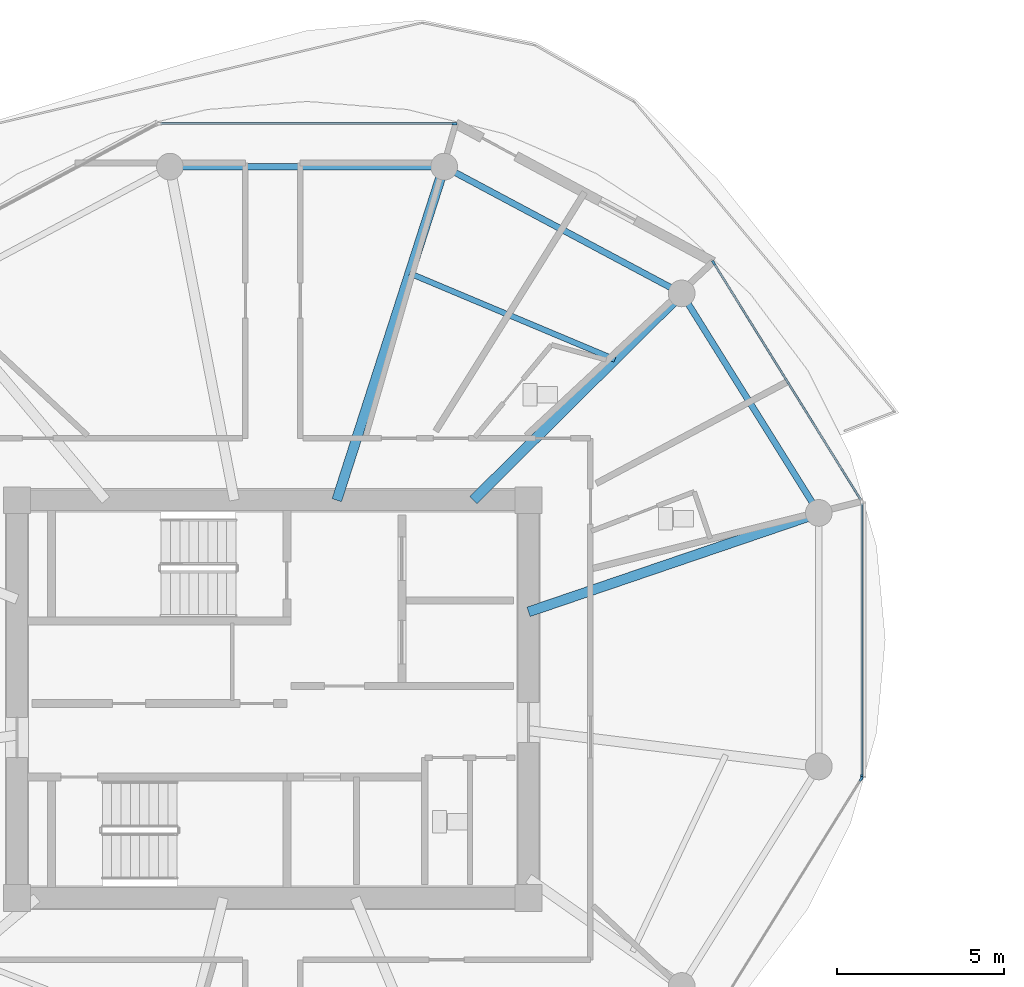
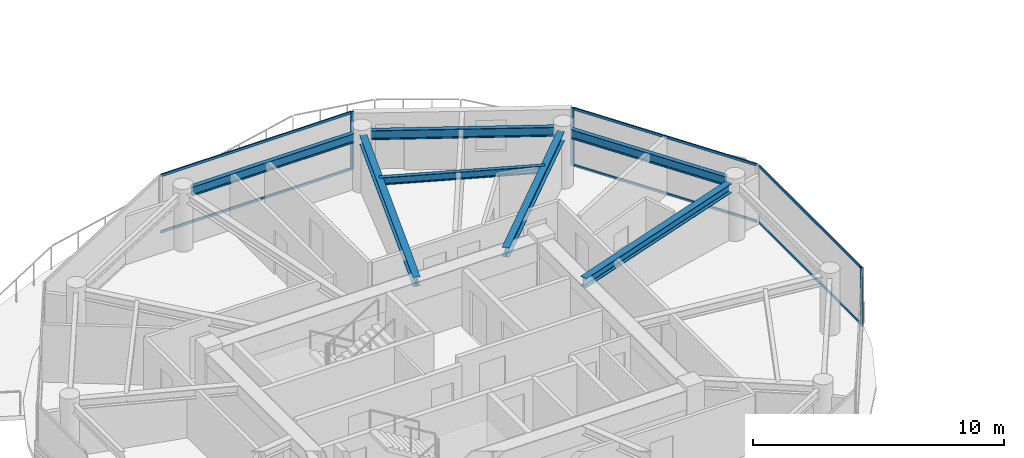
# One storey, part 5 of 21: 10 members, 7 beams, 4 elements without a shape of their own.
"""IFC4 building model written with IfcOpenShell, lengths in metres."""

from ifc_helpers import new_model, si_unit, direction, frame, origin, origin_2d, place, context, subcontext, project, spatial, rectangle, i_section, extrude, source, transform, mapped, material, layer, layer_set, material_profile, profile_set, type_object, type_shapes, element, aggregate, save


model = new_model("IFC4")

# Units and contexts
model_context = context("Model", 3, precision=1e-05, world=origin(), true_north=direction((0.0, 1.0)))
body_context = subcontext(model_context, "Body", "Model", "MODEL_VIEW")
ifc_project = project(units=[si_unit("LENGTHUNIT", "METRE"), si_unit("AREAUNIT", "SQUARE_METRE"), si_unit("VOLUMEUNIT", "CUBIC_METRE"), si_unit("PLANEANGLEUNIT", "RADIAN"), si_unit("MASSUNIT", "GRAM", prefix="KILO")], contexts=[model_context])

# Site, building, storey
site_placement = place(None, origin())
site = spatial("IfcSite", under=ifc_project, at=site_placement, CompositionType="ELEMENT")
building_placement = place(site_placement, origin())
building = spatial("IfcBuilding", under=site, at=building_placement, Name="Norrkilde Senior Care Towers", CompositionType="ELEMENT")
storey_placement = place(building_placement, frame((0.0, 0.0, 146.5)))
storey = spatial("IfcBuildingStorey", under=building, at=storey_placement, Name="L45", CompositionType="ELEMENT", Elevation=146.5)

# Beams
ifc_material_1 = material(Name="Steel S355", Category="steel")
ifc_material_profile_1 = material_profile(ifc_material_1, i_section(OverallWidth=0.18994140625, OverallDepth=0.449951171875, WebThickness=0.009521484375, FlangeThickness=0.0146484375, FilletRadius=0.02099609375, at=origin_2d()), Name="IPE 450")
ifc_profile_set_1 = profile_set([ifc_material_profile_1], Name="Steel S355")
beam_type_1 = type_object("IfcBeamType", Name="Perimeter Ring Spandrel Z3 IPE450", PredefinedType="SPANDREL", material=ifc_profile_set_1)
shared_shape_1 = source(origin(), body_context, "Body", "SweptSolid", [
    extrude(i_section(OverallWidth=0.18994140625, OverallDepth=0.449951171875, WebThickness=0.009521484375, FlangeThickness=0.0146484375, FilletRadius=0.02099609375, at=origin_2d()), origin(), (0.0, 0.0, 1.0), 7.0234375),
])
beam_1_placement = place(storey_placement, frame((-11.855712890625, 5.872314453125, 2.5849609375), z_axis=(-0.529789577822, 0.848129119433, 0.0), x_axis=(-0.848129119433, -0.529789577822, 0.0)))
element("IfcBeam", 1, at=beam_1_placement, inside=storey, type_object=beam_type_1, Name="L45 Drum W Perimeter Spandrel 01", PredefinedType="SPANDREL", context=body_context, shape_type="MappedRepresentation", body=[
    mapped(shared_shape_1, transform((0.0, 0.0, 0.0), x_axis=(1.0, 0.0, 0.0), y_axis=(0.0, 1.0, 0.0), z_axis=(0.0, 0.0, 1.0), scale=1.0)),
])
ifc_material_profile_2 = material_profile(ifc_material_1, i_section(OverallWidth=0.300048828125, OverallDepth=0.449951171875, WebThickness=0.013916015625, FlangeThickness=0.02587890625, FilletRadius=0.027099609375, at=origin_2d()), Name="HEB 450")
ifc_profile_set_2 = profile_set([ifc_material_profile_2], Name="Steel S355")
beam_type_2 = type_object("IfcBeamType", Name="Radial Floor Beam Z3 HEB450", PredefinedType="BEAM", material=ifc_profile_set_2)
shared_shape_2 = source(origin(), body_context, "Body", "SweptSolid", [
    extrude(i_section(OverallWidth=0.300048828125, OverallDepth=0.449951171875, WebThickness=0.013916015625, FlangeThickness=0.02587890625, FilletRadius=0.027099609375, at=origin_2d()), origin(), (0.0, 0.0, 1.0), 8.8154296875),
])
beam_2_placement = place(storey_placement, frame((-20.35009765625, 2.607177734375, 2.5849609375), z_axis=(0.946540556878, 0.322584832539, 0.0), x_axis=(-0.322584832539, 0.946540556878, 0.0)))
element("IfcBeam", 2, at=beam_2_placement, inside=storey, type_object=beam_type_2, Name="L45 Drum W Radial Floor Beam 01", PredefinedType="BEAM", context=body_context, shape_type="MappedRepresentation", body=[
    mapped(shared_shape_2, transform((0.0, 0.0, 0.0), x_axis=(1.0, 0.0, 0.0), y_axis=(0.0, 1.0, 0.0), z_axis=(0.0, 0.0, 1.0), scale=1.0)),
])
shared_shape_3 = source(origin(), body_context, "Body", "SweptSolid", [
    extrude(i_section(OverallWidth=0.18994140625, OverallDepth=0.449951171875, WebThickness=0.009521484375, FlangeThickness=0.0146484375, FilletRadius=0.02099609375, at=origin_2d()), origin(), (0.0, 0.0, 1.0), 7.333740234375),
])
beam_3_placement = place(storey_placement, frame((-16.0849609375, 12.303955078125, 2.5849609375), z_axis=(-0.882247866069, 0.470785198172, 0.0), x_axis=(-0.470785198172, -0.882247866069, 0.0)))
element("IfcBeam", 3, at=beam_3_placement, inside=storey, type_object=beam_type_1, Name="L45 Drum W Perimeter Spandrel 02", PredefinedType="SPANDREL", context=body_context, shape_type="MappedRepresentation", body=[
    mapped(shared_shape_3, transform((0.0, 0.0, 0.0), x_axis=(1.0, 0.0, 0.0), y_axis=(0.0, 1.0, 0.0), z_axis=(0.0, 0.0, 1.0), scale=1.0)),
])
shared_shape_4 = source(origin(), body_context, "Body", "SweptSolid", [
    extrude(i_section(OverallWidth=0.300048828125, OverallDepth=0.449951171875, WebThickness=0.013916015625, FlangeThickness=0.02587890625, FilletRadius=0.027099609375, at=origin_2d()), origin(), (0.0, 0.0, 1.0), 8.421630859375),
])
beam_4_placement = place(storey_placement, frame((-22.001953125, 5.949951171875, 2.5849609375), z_axis=(0.709956495972, 0.704245535184, 0.0), x_axis=(-0.704245535184, 0.709956495972, 0.0)))
element("IfcBeam", 4, at=beam_4_placement, inside=storey, type_object=beam_type_2, Name="L45 Drum W Radial Floor Beam 02", PredefinedType="BEAM", context=body_context, shape_type="MappedRepresentation", body=[
    mapped(shared_shape_4, transform((0.0, 0.0, 0.0), x_axis=(1.0, 0.0, 0.0), y_axis=(0.0, 1.0, 0.0), z_axis=(0.0, 0.0, 1.0), scale=1.0)),
])
shared_shape_5 = source(origin(), body_context, "Body", "SweptSolid", [
    extrude(i_section(OverallWidth=0.18994140625, OverallDepth=0.449951171875, WebThickness=0.009521484375, FlangeThickness=0.0146484375, FilletRadius=0.02099609375, at=origin_2d()), origin(), (0.0, 0.0, 1.0), 7.484619140625),
])
type_shapes(beam_type_1, [shared_shape_1, shared_shape_3, shared_shape_5])
beam_5_placement = place(storey_placement, frame((-23.232666015625, 15.92626953125, 2.5849609375), z_axis=(-1.0, 0.0, 0.0), x_axis=(0.0, -1.0, 0.0)))
element("IfcBeam", 5, at=beam_5_placement, inside=storey, type_object=beam_type_1, Name="L45 Drum W Perimeter Spandrel 03", PredefinedType="SPANDREL", context=body_context, shape_type="MappedRepresentation", body=[
    mapped(shared_shape_5, transform((0.0, 0.0, 0.0), x_axis=(1.0, 0.0, 0.0), y_axis=(0.0, 1.0, 0.0), z_axis=(0.0, 0.0, 1.0), scale=1.0)),
])
shared_shape_6 = source(origin(), body_context, "Body", "SweptSolid", [
    extrude(i_section(OverallWidth=0.300048828125, OverallDepth=0.449951171875, WebThickness=0.013916015625, FlangeThickness=0.02587890625, FilletRadius=0.027099609375, at=origin_2d()), origin(), (0.0, 0.0, 1.0), 10.120361328125),
])
type_shapes(beam_type_2, [shared_shape_2, shared_shape_4, shared_shape_6])
beam_6_placement = place(storey_placement, frame((-26.08447265625, 5.949951171875, 2.5849609375), z_axis=(0.306440973744, 0.951889662519, 0.0), x_axis=(-0.951889662519, 0.306440973744, 0.0)))
element("IfcBeam", 6, at=beam_6_placement, inside=storey, type_object=beam_type_2, Name="L45 Drum W Radial Floor Beam 03", PredefinedType="BEAM", context=body_context, shape_type="MappedRepresentation", body=[
    mapped(shared_shape_6, transform((0.0, 0.0, 0.0), x_axis=(1.0, 0.0, 0.0), y_axis=(0.0, 1.0, 0.0), z_axis=(0.0, 0.0, 1.0), scale=1.0)),
])
ifc_material_profile_3 = material_profile(ifc_material_1, i_section(OverallWidth=0.169921875, OverallDepth=0.360107421875, WebThickness=0.008056640625, FlangeThickness=0.0126953125, FilletRadius=0.01806640625, at=origin_2d()), Name="IPE 360")
ifc_profile_set_3 = profile_set([ifc_material_profile_3], Name="Steel S355")
beam_type_3 = type_object("IfcBeamType", Name="Secondary Floor Joist IPE360", PredefinedType="JOIST", material=ifc_profile_set_3)
shared_shape_7 = source(origin(), body_context, "Body", "SweptSolid", [
    extrude(i_section(OverallWidth=0.169921875, OverallDepth=0.360107421875, WebThickness=0.008056640625, FlangeThickness=0.0126953125, FilletRadius=0.01806640625, at=origin_2d()), origin(), (0.0, 0.0, 1.0), 6.657470703125),
])
type_shapes(beam_type_3, [shared_shape_7])
beam_7_placement = place(storey_placement, frame((-17.762451171875, 10.155517578125, 2.6298828125), z_axis=(-0.921958799252, 0.387287971, 0.0), x_axis=(-0.387287971, -0.921958799252, 0.0)))
element("IfcBeam", 7, at=beam_7_placement, inside=storey, type_object=beam_type_3, Name="L45 Drum W Secondary Floor Joist 1", PredefinedType="JOIST", context=body_context, shape_type="MappedRepresentation", body=[
    mapped(shared_shape_7, transform((0.0, 0.0, 0.0), x_axis=(1.0, 0.0, 0.0), y_axis=(0.0, 1.0, 0.0), z_axis=(0.0, 0.0, 1.0), scale=1.0)),
])

# Curtain wall, member
ifc_material_2 = material(Name="Triple Low-E Insulated Glazing", Category="glass")
ifc_layer = layer(ifc_material_2, 0.18994140625)
ifc_layer_set = layer_set([ifc_layer], Name="Triple Low-E Insulated Glazing")
curtain_wall_type = type_object("IfcCurtainWallType", Name="CW4 Zone 3 Senior Residence Curtain Wall", PredefinedType="NOTDEFINED", material=ifc_layer_set)
curtain_wall_1_placement = place(storey_placement, origin())
curtain_wall_1 = element("IfcCurtainWall", 8, at=curtain_wall_1_placement, inside=storey, type_object=curtain_wall_type, Name="L45 Drum W Curtain Wall 00", PredefinedType="NOTDEFINED")
ifc_material_3 = material(Name="Anodised Aluminium", Category="aluminium")
ifc_material_profile_4 = material_profile(ifc_material_3, rectangle(XDim=0.06494140625, YDim=0.14990234375, at=origin_2d()), Name="ALU MULL 65x150")
ifc_profile_set_4 = profile_set([ifc_material_profile_4], Name="Anodised Aluminium")
member_type_1 = type_object("IfcMemberType", Name="Curtain Wall Mullion Z3-Z4 65x150", PredefinedType="MULLION", material=ifc_profile_set_4)
shared_shape_8 = source(origin(), body_context, "Body", "SweptSolid", [
    extrude(rectangle(XDim=0.06494140625, YDim=0.14990234375, at=origin_2d()), origin(), (0.0, 0.0, 1.0), 2.81005859375),
])
type_shapes(member_type_1, [shared_shape_8])
member_1_placement = place(storey_placement, frame((-14.809814453125, 13.04736328125, 0.0), z_axis=(0.0, 0.0, 1.0), x_axis=(0.84963405474, 0.52737270789, 0.0)))
member_1 = element("IfcMember", 9, at=member_1_placement, type_object=member_type_1, Name="CW-4 mullion 1", PredefinedType="MULLION", context=body_context, shape_type="MappedRepresentation", body=[
    mapped(shared_shape_8, transform((0.0, 0.0, 0.0), x_axis=(1.0, 0.0, 0.0), y_axis=(0.0, 1.0, 0.0), z_axis=(0.0, 0.0, 1.0), scale=1.0)),
])

curtain_wall_2_placement = place(storey_placement, origin())
curtain_wall_2 = element("IfcCurtainWall", 10, at=curtain_wall_2_placement, inside=storey, type_object=curtain_wall_type, Name="L45 Drum W Curtain Wall 02", PredefinedType="NOTDEFINED")
member_2_placement = place(storey_placement, frame((-22.56103515625, 17.2109375, 0.0), z_axis=(0.0, 0.0, 1.0), x_axis=(0.0, 1.0, 0.0)))
member_2 = element("IfcMember", 11, at=member_2_placement, type_object=member_type_1, Name="CW-4 mullion 2", PredefinedType="MULLION", context=body_context, shape_type="MappedRepresentation", body=[
    mapped(shared_shape_8, transform((0.0, 0.0, 0.0), x_axis=(1.0, 0.0, 0.0), y_axis=(0.0, 1.0, 0.0), z_axis=(0.0, 0.0, 1.0), scale=1.0)),
])

curtain_wall_3_placement = place(storey_placement, origin())
curtain_wall_3 = element("IfcCurtainWall", 12, at=curtain_wall_3_placement, inside=storey, type_object=curtain_wall_type, Name="L45 Drum W Curtain Wall 10", PredefinedType="NOTDEFINED")
member_3_placement = place(storey_placement, frame((-10.3974609375, -2.38818359375, 0.0), z_axis=(0.0, 0.0, 1.0), x_axis=(0.84963405474, -0.52737270789, 0.0)))
member_3 = element("IfcMember", 13, at=member_3_placement, type_object=member_type_1, Name="CW-4 mullion 1", PredefinedType="MULLION", context=body_context, shape_type="MappedRepresentation", body=[
    mapped(shared_shape_8, transform((0.0, 0.0, 0.0), x_axis=(1.0, 0.0, 0.0), y_axis=(0.0, 1.0, 0.0), z_axis=(0.0, 0.0, 1.0), scale=1.0)),
])
aggregate(curtain_wall_3, [member_3])

curtain_wall_4_placement = place(storey_placement, origin())
curtain_wall_4 = element("IfcCurtainWall", 14, at=curtain_wall_4_placement, inside=storey, type_object=curtain_wall_type, Name="L45 Drum W Curtain Wall 11", PredefinedType="NOTDEFINED")
member_4_placement = place(storey_placement, frame((-10.38037109375, -2.328125, 0.0), z_axis=(0.0, 0.0, 1.0), x_axis=(1.0, 0.0, 0.0)))
member_4 = element("IfcMember", 15, at=member_4_placement, type_object=member_type_1, Name="CW-4 mullion 2", PredefinedType="MULLION", context=body_context, shape_type="MappedRepresentation", body=[
    mapped(shared_shape_8, transform((0.0, 0.0, 0.0), x_axis=(1.0, 0.0, 0.0), y_axis=(0.0, 1.0, 0.0), z_axis=(0.0, 0.0, 1.0), scale=1.0)),
])

# Member
ifc_material_profile_5 = material_profile(ifc_material_3, rectangle(XDim=0.06005859375, YDim=0.1201171875, at=origin_2d()), Name="ALU TRAN 60x120")
ifc_profile_set_5 = profile_set([ifc_material_profile_5], Name="Anodised Aluminium")
member_type_2 = type_object("IfcMemberType", Name="Curtain Wall Transom Typical 60x120", PredefinedType="USERDEFINED", material=ifc_profile_set_5)
shared_shape_9 = source(origin(), body_context, "Body", "SweptSolid", [
    extrude(rectangle(XDim=0.06005859375, YDim=0.1201171875, at=origin_2d()), origin(), (0.0, 0.0, 1.0), 8.301513671875),
])
member_5_placement = place(storey_placement, frame((-14.792724609375, 13.019775390625, 0.030029296875), z_axis=(0.527368718394, -0.849636531029, 0.0), x_axis=(0.849636531029, 0.527368718394, 0.0)))
member_5 = element("IfcMember", 16, at=member_5_placement, type_object=member_type_2, Name="CW-4 transom 1.1", ObjectType="TRANSOM", PredefinedType="USERDEFINED", context=body_context, shape_type="MappedRepresentation", body=[
    mapped(shared_shape_9, transform((0.0, 0.0, 0.0), x_axis=(1.0, 0.0, 0.0), y_axis=(0.0, 1.0, 0.0), z_axis=(0.0, 0.0, 1.0), scale=1.0)),
])

member_6_placement = place(storey_placement, frame((-14.792724609375, 13.019775390625, 2.780029296875), z_axis=(0.527368718394, -0.849636531029, 0.0), x_axis=(0.849636531029, 0.527368718394, 0.0)))
member_6 = element("IfcMember", 17, at=member_6_placement, type_object=member_type_2, Name="CW-4 transom 1.2", ObjectType="TRANSOM", PredefinedType="USERDEFINED", context=body_context, shape_type="MappedRepresentation", body=[
    mapped(shared_shape_9, transform((0.0, 0.0, 0.0), x_axis=(1.0, 0.0, 0.0), y_axis=(0.0, 1.0, 0.0), z_axis=(0.0, 0.0, 1.0), scale=1.0)),
])

aggregate(curtain_wall_1, [member_1, member_5, member_6])

shared_shape_10 = source(origin(), body_context, "Body", "SweptSolid", [
    extrude(rectangle(XDim=0.06005859375, YDim=0.1201171875, at=origin_2d()), origin(), (0.0, 0.0, 1.0), 8.762939453125),
])
member_7_placement = place(storey_placement, frame((-31.3564453125, 17.2109375, 0.030029296875), z_axis=(1.0, 0.0, 0.0), x_axis=(0.0, 1.0, 0.0)))
member_7 = element("IfcMember", 18, at=member_7_placement, type_object=member_type_2, Name="CW-4 transom 1.1", ObjectType="TRANSOM", PredefinedType="USERDEFINED", context=body_context, shape_type="MappedRepresentation", body=[
    mapped(shared_shape_10, transform((0.0, 0.0, 0.0), x_axis=(1.0, 0.0, 0.0), y_axis=(0.0, 1.0, 0.0), z_axis=(0.0, 0.0, 1.0), scale=1.0)),
])

member_8_placement = place(storey_placement, frame((-31.3564453125, 17.2109375, 2.780029296875), z_axis=(1.0, 0.0, 0.0), x_axis=(0.0, 1.0, 0.0)))
member_8 = element("IfcMember", 19, at=member_8_placement, type_object=member_type_2, Name="CW-4 transom 1.2", ObjectType="TRANSOM", PredefinedType="USERDEFINED", context=body_context, shape_type="MappedRepresentation", body=[
    mapped(shared_shape_10, transform((0.0, 0.0, 0.0), x_axis=(1.0, 0.0, 0.0), y_axis=(0.0, 1.0, 0.0), z_axis=(0.0, 0.0, 1.0), scale=1.0)),
])

aggregate(curtain_wall_2, [member_2, member_7, member_8])

shared_shape_11 = source(origin(), body_context, "Body", "SweptSolid", [
    extrude(rectangle(XDim=0.06005859375, YDim=0.1201171875, at=origin_2d()), origin(), (0.0, 0.0, 1.0), 8.141845703125),
])
type_shapes(member_type_2, [shared_shape_9, shared_shape_10, shared_shape_11])
member_9_placement = place(storey_placement, frame((-10.38037109375, 5.84619140625, 0.030029296875), z_axis=(0.0, -1.0, 0.0), x_axis=(1.0, 0.0, 0.0)))
member_9 = element("IfcMember", 20, at=member_9_placement, type_object=member_type_2, Name="CW-4 transom 1.1", ObjectType="TRANSOM", PredefinedType="USERDEFINED", context=body_context, shape_type="MappedRepresentation", body=[
    mapped(shared_shape_11, transform((0.0, 0.0, 0.0), x_axis=(1.0, 0.0, 0.0), y_axis=(0.0, 1.0, 0.0), z_axis=(0.0, 0.0, 1.0), scale=1.0)),
])

member_10_placement = place(storey_placement, frame((-10.38037109375, 5.84619140625, 2.780029296875), z_axis=(0.0, -1.0, 0.0), x_axis=(1.0, 0.0, 0.0)))
member_10 = element("IfcMember", 21, at=member_10_placement, type_object=member_type_2, Name="CW-4 transom 1.2", ObjectType="TRANSOM", PredefinedType="USERDEFINED", context=body_context, shape_type="MappedRepresentation", body=[
    mapped(shared_shape_11, transform((0.0, 0.0, 0.0), x_axis=(1.0, 0.0, 0.0), y_axis=(0.0, 1.0, 0.0), z_axis=(0.0, 0.0, 1.0), scale=1.0)),
])

aggregate(curtain_wall_4, [member_4, member_9, member_10])

save(model, "model.ifc")
